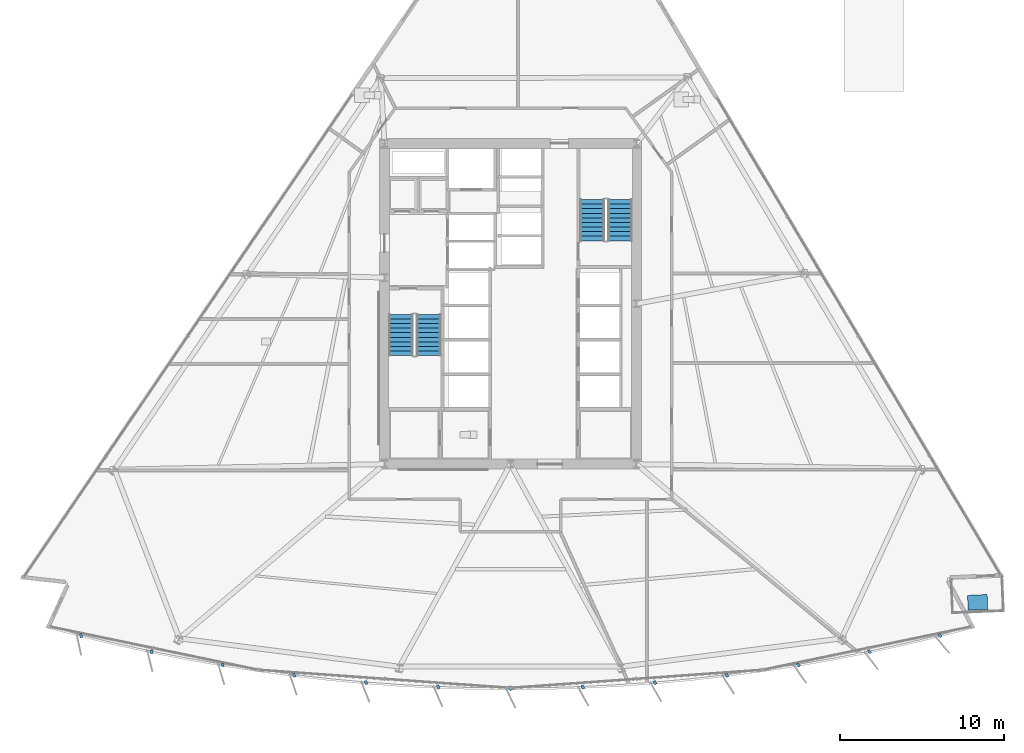
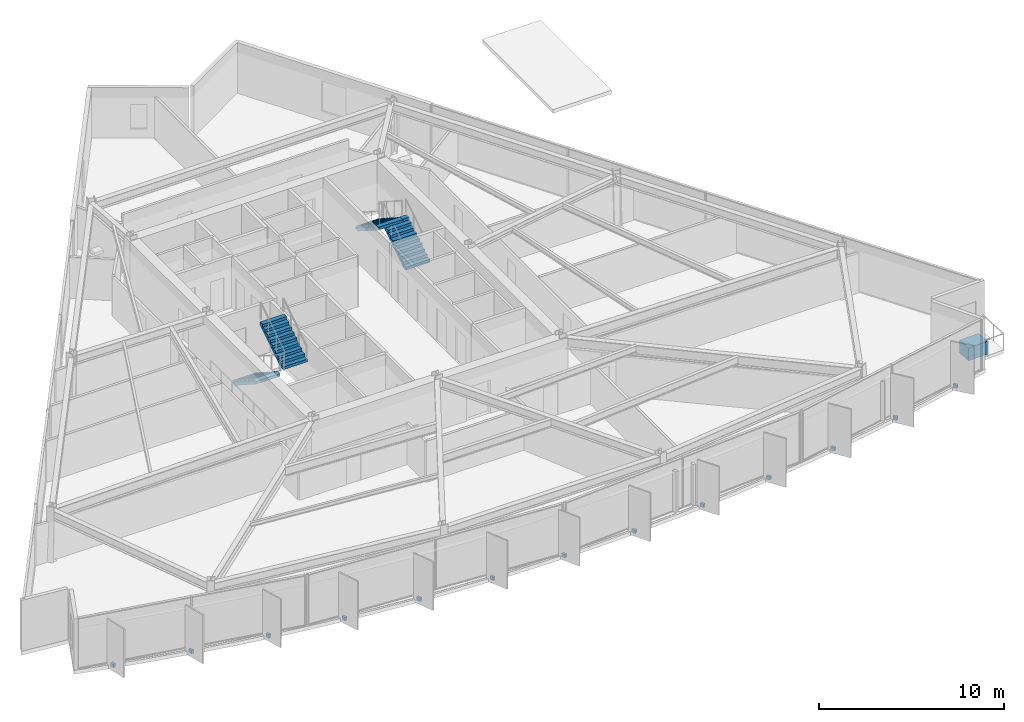
# One storey, part 11 of 16: 14 discrete accessories, 4 stair flights, 2 elements without a shape of their own.
"""IFC4 building model written with IfcOpenShell, lengths in metres."""

import ifcopenshell
import ifcopenshell.guid

model = None  # the IFC model being written
_history = None  # IfcOwnerHistory: only IFC2X3 demands one
_inside = {}  # id of a spatial element -> (the spatial element, [elements in it])
_under = {}  # id of a project, library or spatial element -> (it, [spatial elements below it])
_declared = {}  # id of a project -> (the project, [libraries it declares])
_typed = {}  # id of a type object -> (the type object, [elements of that type])
_made_of = {}  # id of a material, layer set ... -> (it, [elements and type objects made of it])


def new_model(schema):
    """Start an empty IFC model of exactly this schema.

    Asked for "IFC4X3", IfcOpenShell would pick the latest addendum, in which some entities
    have other attributes; the version numbers below select the first issue.
    IFC2X3 requires an IfcOwnerHistory on every rooted entity: one is made here for all.
    """
    global model, _history
    if schema == "IFC4X3":
        model = ifcopenshell.file(schema_version=(4, 3, 0, 0))
    else:
        model = ifcopenshell.file(schema=schema)
    _inside.clear()
    _under.clear()
    _declared.clear()
    _typed.clear()
    _made_of.clear()
    _history = None
    if model.schema == "IFC2X3":
        org = make("IfcOrganization", Name="unknown")
        user = make(
            "IfcPersonAndOrganization",
            ThePerson=make("IfcPerson", FamilyName="unknown"),
            TheOrganization=org,
        )
        app = make(
            "IfcApplication",
            ApplicationDeveloper=org,
            Version="unknown",
            ApplicationFullName="unknown",
            ApplicationIdentifier="unknown",
        )
        _history = make(
            "IfcOwnerHistory",
            OwningUser=user,
            OwningApplication=app,
            ChangeAction="ADDED",
            CreationDate=0,
        )
    return model


def make(cls, **values):
    """One entity of the class cls with the attributes given. An attribute that is None is left unset."""
    return model.create_entity(
        cls, **{name: value for name, value in values.items() if value is not None}
    )


def rooted(cls, **values):
    """An entity with a GlobalId (a new one), such as an element, a storey or a relation."""
    return make(cls, GlobalId=ifcopenshell.guid.new(), OwnerHistory=_history, **values)


def si_unit(unit_type, name, prefix=None):
    """IfcSIUnit, for example si_unit("LENGTHUNIT", "METRE", prefix="MILLI")."""
    return make("IfcSIUnit", UnitType=unit_type, Prefix=prefix, Name=name)


def assignment(units):
    """IfcUnitAssignment: the units of a project."""
    return None if units is None else make("IfcUnitAssignment", Units=units)


def point(xyz):
    """IfcCartesianPoint."""
    return None if xyz is None else make("IfcCartesianPoint", Coordinates=xyz)


def direction(xyz):
    """IfcDirection."""
    return None if xyz is None else make("IfcDirection", DirectionRatios=xyz)


def frame(location, z_axis=None, x_axis=None):
    """IfcAxis2Placement3D, a coordinate frame: its origin and axes. An axis left out is left unset."""
    return make(
        "IfcAxis2Placement3D",
        Location=point(location),
        Axis=direction(z_axis),
        RefDirection=direction(x_axis),
    )


def frame_2d(location, x_axis=None):
    """IfcAxis2Placement2D, a coordinate frame in the plane: its origin and x axis."""
    return make(
        "IfcAxis2Placement2D", Location=point(location), RefDirection=direction(x_axis)
    )


def origin():
    """The frame at (0, 0, 0) with its axes left unset."""
    return frame((0.0, 0.0, 0.0))


def origin_2d():
    """The frame at (0, 0) in the plane with its x axis left unset."""
    return frame_2d((0.0, 0.0))


def place(relative_to, where):
    """IfcLocalPlacement: puts the frame where relative to a parent placement (None: the world)."""
    return make(
        "IfcLocalPlacement", PlacementRelTo=relative_to, RelativePlacement=where
    )


def context(
    kind, dimensions, precision=None, world=None, true_north=None, identifier=None
):
    """IfcGeometricRepresentationContext, for example the 3D "Model" context."""
    return make(
        "IfcGeometricRepresentationContext",
        ContextIdentifier=identifier,
        ContextType=kind,
        CoordinateSpaceDimension=dimensions,
        Precision=precision,
        WorldCoordinateSystem=world,
        TrueNorth=true_north,
    )


def subcontext(parent, identifier, kind, view, scale=None):
    """IfcGeometricRepresentationSubContext, for example "Body" below "Model"."""
    return make(
        "IfcGeometricRepresentationSubContext",
        ContextIdentifier=identifier,
        ContextType=kind,
        ParentContext=parent,
        TargetScale=scale,
        TargetView=view,
    )


def project(units=None, contexts=None):
    """IfcProject with its units and contexts."""
    return rooted(
        "IfcProject",
        Name="project",
        RepresentationContexts=contexts,
        UnitsInContext=assignment(units),
    )


def spatial(cls, under=None, at=None, **own):
    """A site, building, storey or space (cls), placed at a placement, below another one or the project."""
    s = rooted(cls, ObjectPlacement=at, **own)
    if under is not None:
        _under.setdefault(under.id(), (under, []))[1].append(s)
    return s


def polyline(points):
    """IfcPolyline through the points."""
    return make("IfcPolyline", Points=[point(p) for p in points])


def profile(cls, at=None, kind="AREA", **sizes):
    """A parametric profile (cls). Its sizes go by their IFC names, for example OverallWidth=200.0."""
    return make(cls, ProfileType=kind, Position=at, **sizes)


def rectangle(**sizes):
    """IfcRectangleProfileDef."""
    return profile("IfcRectangleProfileDef", **sizes)


def outline(outer, holes=None, kind="AREA"):
    """IfcArbitraryClosedProfileDef: a profile drawn as a closed curve; with holes, ...WithVoids."""
    if holes is None:
        return make("IfcArbitraryClosedProfileDef", ProfileType=kind, OuterCurve=outer)
    return make(
        "IfcArbitraryProfileDefWithVoids",
        ProfileType=kind,
        OuterCurve=outer,
        InnerCurves=holes,
    )


def extrude(swept, where, along, depth):
    """IfcExtrudedAreaSolid: the profile swept, set in the frame where, extruded along a direction by depth."""
    return make(
        "IfcExtrudedAreaSolid",
        SweptArea=swept,
        Position=where,
        ExtrudedDirection=direction(along),
        Depth=depth,
    )


def shape(context_of_items, identifier, shape_type, items):
    """IfcShapeRepresentation: the items that make up one representation, for example the "Body"."""
    return make(
        "IfcShapeRepresentation",
        ContextOfItems=context_of_items,
        RepresentationIdentifier=identifier,
        RepresentationType=shape_type,
        Items=items,
    )


def material(Name=None, Category=None):
    """IfcMaterial."""
    return make("IfcMaterial", Name=Name, Category=Category)


def made_of(thing, what):
    """Note that an element or type object is made of a material, layer set ...; save() writes the relation."""
    if what is not None:
        _made_of.setdefault(what.id(), (what, []))[1].append(thing)
    return thing


def type_object(cls, material=None, **own):
    """A type object (cls), such as IfcWallType, which elements share."""
    return made_of(rooted(cls, **own), material)


def element(
    cls,
    number,
    at=None,
    inside=None,
    cuts=None,
    type_object=None,
    material=None,
    context=None,
    identifier="Body",
    shape_type=None,
    held_by="IfcProductDefinitionShape",
    body=None,
    shapes=None,
    **own,
):
    """One element of the class cls, such as IfcWall. Its Tag is "e" and its number.

    at: its placement. inside: the storey or other place that contains it. cuts: it is an
    opening in that element (IfcRelVoidsElement). A single representation is given by context,
    identifier, shape_type and body (its items); several are given by shapes. held_by: the class
    of the entity that holds the representations. save() writes the other relations.
    """
    e = rooted(cls, Tag="e%d" % number, ObjectPlacement=at, **own)
    if body is not None:
        shapes = [shape(context, identifier, shape_type, body)]
    if shapes is not None:
        e.Representation = make(held_by, Representations=shapes)
    if inside is not None:
        _inside.setdefault(inside.id(), (inside, []))[1].append(e)
    if cuts is not None:
        rooted(
            "IfcRelVoidsElement", RelatingBuildingElement=cuts, RelatedOpeningElement=e
        )
    if type_object is not None:
        _typed.setdefault(type_object.id(), (type_object, []))[1].append(e)
    return made_of(e, material)


def aggregate(whole, parts):
    """IfcRelAggregates: a whole, such as a stair, and the parts it consists of."""
    return rooted("IfcRelAggregates", RelatingObject=whole, RelatedObjects=parts)


def save(model, path):
    """Write the relations noted so far, then the file.

    IfcRelAggregates (storeys below a building ...), IfcRelContainedInSpatialStructure (elements
    in a storey), IfcRelDefinesByType, IfcRelAssociatesMaterial and IfcRelDeclares: one each for
    every whole, place, type object, material and project.
    """
    for whole, parts in _under.values():
        aggregate(whole, parts)
    for where, things in _inside.values():
        rooted(
            "IfcRelContainedInSpatialStructure",
            RelatedElements=things,
            RelatingStructure=where,
        )
    for kind, things in _typed.values():
        rooted("IfcRelDefinesByType", RelatedObjects=things, RelatingType=kind)
    for what, things in _made_of.values():
        rooted("IfcRelAssociatesMaterial", RelatedObjects=things, RelatingMaterial=what)
    for by, libraries in _declared.values():
        rooted("IfcRelDeclares", RelatingContext=by, RelatedDefinitions=libraries)
    model.write(path)


model = new_model("IFC4")

# Units and contexts
model_context = context("Model", 3, precision=1e-05, world=origin(), true_north=direction((0.0, 1.0)))
body_context = subcontext(model_context, "Body", "Model", "MODEL_VIEW")
ifc_project = project(units=[si_unit("LENGTHUNIT", "METRE"), si_unit("AREAUNIT", "SQUARE_METRE"), si_unit("VOLUMEUNIT", "CUBIC_METRE"), si_unit("PLANEANGLEUNIT", "RADIAN"), si_unit("MASSUNIT", "GRAM", prefix="KILO")], contexts=[model_context])

# Site, building, storey
site_placement = place(None, origin())
site = spatial("IfcSite", under=ifc_project, at=site_placement, CompositionType="ELEMENT")
building_placement = place(site_placement, origin())
building = spatial("IfcBuilding", under=site, at=building_placement, Name="Savorim Split Tower", CompositionType="ELEMENT")
storey_placement = place(building_placement, frame((0.0, 0.0, 30.0)))
storey = spatial("IfcBuildingStorey", under=building, at=storey_placement, Name="L07", CompositionType="ELEMENT", Elevation=30.0)

# Stair, stair flights
ifc_material_1 = material(Name="Concrete C50/60", Category="concrete")
stair_type = type_object("IfcStairType", Name="STR-DOG-3600", PredefinedType="HALF_TURN_STAIR", material=ifc_material_1)
stair_1_placement = place(storey_placement, origin())
stair_1 = element("IfcStair", 1, at=stair_1_placement, inside=storey, type_object=stair_type, Name="L07 Core Protected Exit Stair ST-1", PredefinedType="HALF_TURN_STAIR")
stair_flight_type = type_object("IfcStairFlightType", Name="SFL-DOG-3600", PredefinedType="STRAIGHT", material=ifc_material_1)
stair_flight_1_placement = place(storey_placement, frame((-6.699951171875, -0.25, 0.0), z_axis=(0.0, 0.0, 1.0), x_axis=(0.0, -1.0, 0.0)))
stair_flight_1 = element("IfcStairFlight", 2, at=stair_flight_1_placement, type_object=stair_flight_type, Name="ST-1 flight 1", NumberOfRisers=10, NumberOfTreads=9, PredefinedType="STRAIGHT", RiserHeight=0.18, TreadLength=0.28, context=body_context, shape_type="SweptSolid", body=[
    extrude(outline(polyline([(0.0, 0.0), (0.0, 0.179931640625), (0.280029296875, 0.179931640625), (0.280029296875, 0.360107421875), (0.56005859375, 0.360107421875), (0.56005859375, 0.5400390625), (0.840087890625, 0.5400390625), (0.840087890625, 0.719970703125), (1.1201171875, 0.719970703125), (1.1201171875, 0.89990234375), (1.39990234375, 0.89990234375), (1.39990234375, 1.080078125), (1.679931640625, 1.080078125), (1.679931640625, 1.260009765625), (1.9599609375, 1.260009765625), (1.9599609375, 1.43994140625), (2.239990234375, 1.43994140625), (2.239990234375, 1.6201171875), (2.52001953125, 1.6201171875), (2.52001953125, 1.800048828125), (2.52001953125, 1.44189453125), (0.277099609375, 0.0), (0.0, 0.0)])), frame((0.0, 0.75, 0.0), z_axis=(0.0, -1.0, 0.0), x_axis=(1.0, 0.0, 0.0)), (0.0, 0.0, 1.0), 1.5),
])
stair_flight_2_placement = place(storey_placement, frame((-5.0, -2.77001953125, 1.800048828125), z_axis=(0.0, 0.0, 1.0), x_axis=(0.0, 1.0, 0.0)))
stair_flight_2 = element("IfcStairFlight", 3, at=stair_flight_2_placement, type_object=stair_flight_type, Name="ST-1 flight 2", NumberOfRisers=10, NumberOfTreads=9, PredefinedType="STRAIGHT", RiserHeight=0.18, TreadLength=0.28, context=body_context, shape_type="SweptSolid", body=[
    extrude(outline(polyline([(0.0, 0.0), (0.0, 0.179931640625), (0.280029296875, 0.179931640625), (0.280029296875, 0.360107421875), (0.56005859375, 0.360107421875), (0.56005859375, 0.5400390625), (0.840087890625, 0.5400390625), (0.840087890625, 0.719970703125), (1.1201171875, 0.719970703125), (1.1201171875, 0.89990234375), (1.39990234375, 0.89990234375), (1.39990234375, 1.080078125), (1.679931640625, 1.080078125), (1.679931640625, 1.260009765625), (1.9599609375, 1.260009765625), (1.9599609375, 1.43994140625), (2.239990234375, 1.43994140625), (2.239990234375, 1.6201171875), (2.52001953125, 1.6201171875), (2.52001953125, 1.800048828125), (2.52001953125, 1.44189453125), (0.277099609375, 0.0), (0.0, 0.0)])), frame((0.0, 0.75, 0.0), z_axis=(0.0, -1.0, 0.0), x_axis=(1.0, 0.0, 0.0)), (0.0, 0.0, 1.0), 1.5),
])
aggregate(stair_1, [stair_flight_1, stair_flight_2])

stair_2_placement = place(storey_placement, origin())
stair_2 = element("IfcStair", 4, at=stair_2_placement, inside=storey, type_object=stair_type, Name="L07 Core Protected Exit Stair ST-2", PredefinedType="HALF_TURN_STAIR")
stair_flight_3_placement = place(storey_placement, frame((6.699951171875, 4.25, 0.0), z_axis=(0.0, 0.0, 1.0), x_axis=(0.0, 1.0, 0.0)))
stair_flight_3 = element("IfcStairFlight", 5, at=stair_flight_3_placement, type_object=stair_flight_type, Name="ST-2 flight 1", NumberOfRisers=10, NumberOfTreads=9, PredefinedType="STRAIGHT", RiserHeight=0.18, TreadLength=0.28, context=body_context, shape_type="SweptSolid", body=[
    extrude(outline(polyline([(0.0, 0.0), (0.0, 0.179931640625), (0.280029296875, 0.179931640625), (0.280029296875, 0.360107421875), (0.56005859375, 0.360107421875), (0.56005859375, 0.5400390625), (0.840087890625, 0.5400390625), (0.840087890625, 0.719970703125), (1.1201171875, 0.719970703125), (1.1201171875, 0.89990234375), (1.39990234375, 0.89990234375), (1.39990234375, 1.080078125), (1.679931640625, 1.080078125), (1.679931640625, 1.260009765625), (1.9599609375, 1.260009765625), (1.9599609375, 1.43994140625), (2.239990234375, 1.43994140625), (2.239990234375, 1.6201171875), (2.52001953125, 1.6201171875), (2.52001953125, 1.800048828125), (2.52001953125, 1.44189453125), (0.277099609375, 0.0), (0.0, 0.0)])), frame((0.0, 0.75, 0.0), z_axis=(0.0, -1.0, 0.0), x_axis=(1.0, 0.0, 0.0)), (0.0, 0.0, 1.0), 1.5),
])
stair_flight_4_placement = place(storey_placement, frame((5.0, 6.77001953125, 1.800048828125), z_axis=(0.0, 0.0, 1.0), x_axis=(0.0, -1.0, 0.0)))
stair_flight_4 = element("IfcStairFlight", 6, at=stair_flight_4_placement, type_object=stair_flight_type, Name="ST-2 flight 2", NumberOfRisers=10, NumberOfTreads=9, PredefinedType="STRAIGHT", RiserHeight=0.18, TreadLength=0.28, context=body_context, shape_type="SweptSolid", body=[
    extrude(outline(polyline([(0.0, 0.0), (0.0, 0.179931640625), (0.280029296875, 0.179931640625), (0.280029296875, 0.360107421875), (0.56005859375, 0.360107421875), (0.56005859375, 0.5400390625), (0.840087890625, 0.5400390625), (0.840087890625, 0.719970703125), (1.1201171875, 0.719970703125), (1.1201171875, 0.89990234375), (1.39990234375, 0.89990234375), (1.39990234375, 1.080078125), (1.679931640625, 1.080078125), (1.679931640625, 1.260009765625), (1.9599609375, 1.260009765625), (1.9599609375, 1.43994140625), (2.239990234375, 1.43994140625), (2.239990234375, 1.6201171875), (2.52001953125, 1.6201171875), (2.52001953125, 1.800048828125), (2.52001953125, 1.44189453125), (0.277099609375, 0.0), (0.0, 0.0)])), frame((0.0, 0.75, 0.0), z_axis=(0.0, -1.0, 0.0), x_axis=(1.0, 0.0, 0.0)), (0.0, 0.0, 1.0), 1.5),
])
aggregate(stair_2, [stair_flight_3, stair_flight_4])

# Discrete accessories
ifc_material_2 = material(Name="Steel S355", Category="steel")
discrete_accessory_type_1 = type_object("IfcDiscreteAccessoryType", Name="ACC-BRK-FIN", PredefinedType="BRACKET", material=ifc_material_2)
for number, where, z_axis, x_axis, name in (
    (7, (-26.241943359375, -19.881591796875, -0.18994140625), (0.0, 0.0, 1.0), (0.206721626106, -0.978399800337, 0.0), "L07 Fin Slab-Edge Cleat Bracket 01"),
    (8, (-21.935791015625, -20.86767578125, -0.18994140625), (0.0, 0.0, 1.0), (0.246581250663, -0.969122121727, 0.0), "L07 Fin Slab-Edge Cleat Bracket 02"),
    (9, (-17.593017578125, -21.6767578125, -0.18994140625), (0.0, 0.0, 1.0), (0.286026212504, -0.958221793616, 0.0), "L07 Fin Slab-Edge Cleat Bracket 03"),
    (10, (-13.220458984375, -22.307373046875, -0.18994140625), (0.0, 0.0, 1.0), (0.324993810493, -0.945716143005, 0.0), "L07 Fin Slab-Edge Cleat Bracket 04"),
    (11, (-8.825927734375, -22.758544921875, -0.18994140625), (0.0, 0.0, 1.0), (0.363415461732, -0.931627179817, 0.0), "L07 Fin Slab-Edge Cleat Bracket 05"),
    (12, (-4.416748046875, -23.029541015625, -0.18994140625), (0.0, 0.0, 1.0), (0.401230091723, -0.915977299662, 0.0), "L07 Fin Slab-Edge Cleat Bracket 06"),
    (13, (0.0, -23.1201171875, -0.18994140625), (0.0, 0.0, 1.0), (0.438371146789, -0.898794046299, 0.0), "L07 Fin Slab-Edge Cleat Bracket 07"),
    (14, (4.416748046875, -23.029541015625, -0.18994140625), (0.0, 0.0, 1.0), (0.474778051978, -0.880105562623, 0.0), "L07 Fin Slab-Edge Cleat Bracket 08"),
    (15, (8.825927734375, -22.758544921875, -0.18994140625), (0.0, 0.0, 1.0), (0.510391336723, -0.859942255851, 0.0), "L07 Fin Slab-Edge Cleat Bracket 09"),
    (16, (13.220458984375, -22.307373046875, -0.18994140625), (0.0, 0.0, 1.0), (0.545148321708, -0.838339613366, 0.0), "L07 Fin Slab-Edge Cleat Bracket 10"),
    (17, (17.593017578125, -21.6767578125, -0.18994140625), (0.0, 0.0, 1.0), (0.578993757737, -0.815331974414, 0.0), "L07 Fin Slab-Edge Cleat Bracket 11"),
    (18, (21.935791015625, -20.86767578125, -0.18994140625), (0.0, 0.0, 1.0), (0.611868076908, -0.790959832394, 0.0), "L07 Fin Slab-Edge Cleat Bracket 12"),
    (19, (26.241943359375, -19.881591796875, -0.18994140625), (0.0, 0.0, 1.0), (0.643719022682, -0.765261928909, 0.0), "L07 Fin Slab-Edge Cleat Bracket 13"),
):
    element("IfcDiscreteAccessory", number, at=place(storey_placement, frame(where, z_axis=z_axis, x_axis=x_axis)), inside=storey, type_object=discrete_accessory_type_1, Name=name, PredefinedType="BRACKET", context=body_context, shape_type="SweptSolid", body=[
        extrude(rectangle(XDim=0.239990234375, YDim=0.159912109375, at=origin_2d()), origin(), (0.0, 0.0, 1.0), 0.219970703125),
    ])
ifc_material_3 = material(Name="Architectural Precast Planter Concrete C40/50", Category="concrete")
discrete_accessory_type_2 = type_object("IfcDiscreteAccessoryType", Name="ACC-PLN-TREE", PredefinedType="USERDEFINED", material=ifc_material_3)
discrete_accessory_placement = place(storey_placement, frame((28.550537109375, -17.845458984375, 0.0), z_axis=(0.0, 0.0, 1.0), x_axis=(0.999095876483, 0.04251387532, 0.0)))
element("IfcDiscreteAccessory", 20, at=discrete_accessory_placement, inside=storey, type_object=discrete_accessory_type_2, Name="L07 Balcony Precast Tree Planter SE", ObjectType="PLANTER", PredefinedType="USERDEFINED", context=body_context, shape_type="SweptSolid", body=[
    extrude(rectangle(XDim=1.199951171875, YDim=0.89990234375, at=origin_2d()), origin(), (0.0, 0.0, 1.0), 0.85009765625),
])

save(model, "model.ifc")
